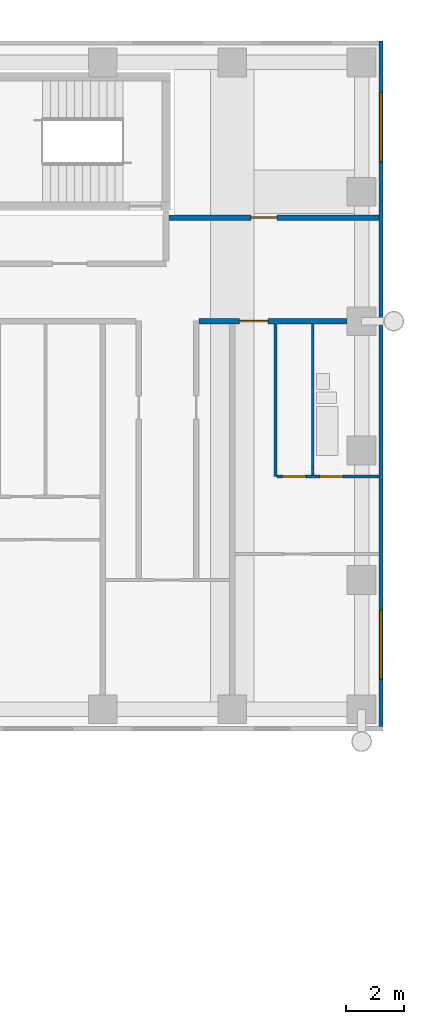
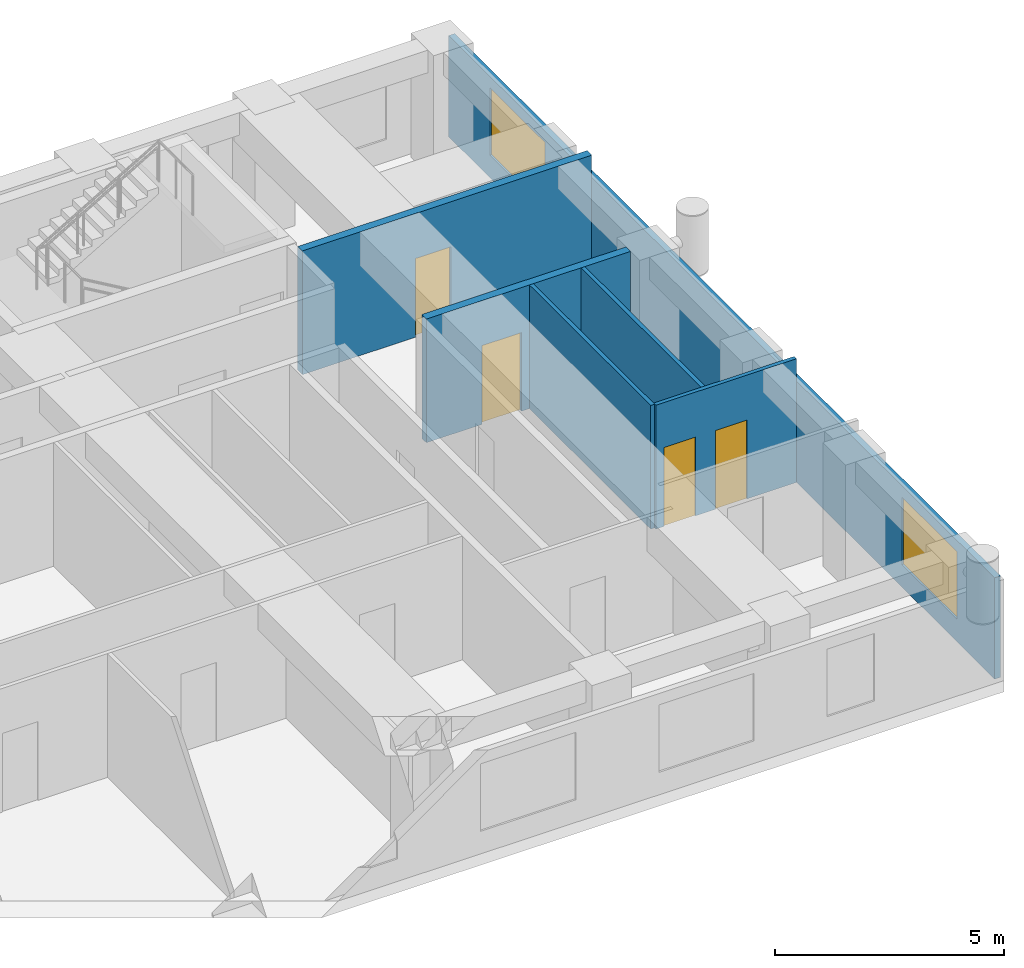
# One storey, part 11 of 14: 6 walls, 4 doors, 2 windows, 6 openings.
"""IFC4 building model written with IfcOpenShell, lengths in metres."""

from ifc_helpers import new_model, si_unit, direction, frame, frame_2d, origin, place, context, subcontext, project, spatial, rectangle, extrude, material, layer, layer_set, type_object, element, fill, save


model = new_model("IFC4")

# Units and contexts
model_context = context("Model", 3, precision=1e-05, world=origin(), true_north=direction((0.0, 1.0)))
body_context = subcontext(model_context, "Body", "Model", "MODEL_VIEW")
ifc_project = project(units=[si_unit("LENGTHUNIT", "METRE"), si_unit("AREAUNIT", "SQUARE_METRE"), si_unit("VOLUMEUNIT", "CUBIC_METRE"), si_unit("PLANEANGLEUNIT", "RADIAN"), si_unit("MASSUNIT", "GRAM", prefix="KILO")], contexts=[model_context])

# Site, building, storey
site_placement = place(None, origin())
site = spatial("IfcSite", under=ifc_project, at=site_placement, CompositionType="ELEMENT")
building_placement = place(site_placement, origin())
building = spatial("IfcBuilding", under=site, at=building_placement, Name="Firuza Court", CompositionType="ELEMENT")
storey_placement = place(building_placement, frame((0.0, 0.0, 159.199951171875)))
storey = spatial("IfcBuildingStorey", under=building, at=storey_placement, Name="L40", CompositionType="ELEMENT", Elevation=159.199951171875)

# Wall
ifc_material_1 = material(Name="Moisture-resistant gypsum board partition")
ifc_layer_1 = layer(ifc_material_1, 0.10009765625)
ifc_layer_set_1 = layer_set([ifc_layer_1], Name="Moisture-resistant gypsum board partition")
wall_type_1 = type_object("IfcWallType", Name="Bathroom partition 100", PredefinedType="PLUMBINGWALL", material=ifc_layer_set_1)
wall_1_placement = place(storey_placement, frame((65.800048828125, 44.14990234375, 0.0), z_axis=(0.0, 0.0, 1.0), x_axis=(0.0, 1.0, 0.0)))
element("IfcWall", 1, at=wall_1_placement, inside=storey, type_object=wall_type_1, Name="Bathroom partition 100 L40", PredefinedType="PLUMBINGWALL", context=body_context, shape_type="SweptSolid", body=[
    extrude(rectangle(XDim=5.25, YDim=0.10009765625, at=frame_2d((2.625, 0.0))), origin(), (0.0, 0.0, 1.0), 3.300048828125),
])

# Wall, opening, door
ifc_material_2 = material(Name="Blockwork, plastered both sides", Category="masonry")
ifc_layer_2 = layer(ifc_material_2, 0.199951171875)
ifc_layer_set_2 = layer_set([ifc_layer_2], Name="Blockwork, plastered both sides")
wall_type_2 = type_object("IfcWallType", Name="Corridor wall 200", PredefinedType="PARTITIONING", material=ifc_layer_set_2)
wall_2_placement = place(storey_placement, frame((61.85009765625, 49.5, 0.0), z_axis=(0.0, 0.0, 1.0), x_axis=(1.0, 0.0, 0.0)))
wall_2 = element("IfcWall", 2, at=wall_2_placement, inside=storey, type_object=wall_type_2, Name="Corridor wall 200 L40", PredefinedType="PARTITIONING", context=body_context, shape_type="SweptSolid", body=[
    extrude(rectangle(XDim=5.14990234375, YDim=0.199951171875, at=frame_2d((2.574951171875, 0.0))), origin(), (0.0, 0.0, 1.0), 3.300048828125),
])
opening_1_placement = place(wall_2_placement, frame((1.39990234375, 0.0, 0.0)))
opening_1 = element("IfcOpeningElement", 3, at=opening_1_placement, cuts=wall_2, Name="Opening D40069", PredefinedType="OPENING", context=body_context, shape_type="SweptSolid", body=[
    extrude(rectangle(XDim=1.0, YDim=2.10009765625, at=frame_2d((0.5, 1.050048828125))), frame((0.0, 0.11181640625, 0.0), z_axis=(0.0, -1.0, 0.0), x_axis=(1.0, 0.0, 0.0)), (0.0, 0.0, 1.0), 0.223876953125),
])
ifc_material_3 = material(Name="Timber door leaf in hardwood frame", Category="wood")
door_type_1 = type_object("IfcDoorType", Name="Flat entrance door 1000", OperationType="SINGLE_SWING_LEFT", PredefinedType="DOOR", material=ifc_material_3)
door_1_placement = place(opening_1_placement, origin())
door_1 = element("IfcDoor", 4, at=door_1_placement, inside=storey, type_object=door_type_1, Name="Flat entrance door", OperationType="SINGLE_SWING_RIGHT", OverallHeight=2.10009765625, OverallWidth=1.0, PredefinedType="DOOR", context=body_context, shape_type="SweptSolid", body=[
    extrude(rectangle(XDim=1.0, YDim=2.10009765625, at=frame_2d((0.5, 1.050048828125))), frame((0.0, 0.02490234375, 0.0), z_axis=(0.0, -1.0, 0.0), x_axis=(1.0, 0.0, 0.0)), (0.0, 0.0, 1.0), 0.050048828125),
])
fill(opening_1, door_1)

wall_3_placement = place(storey_placement, frame((60.800048828125, 53.10009765625, 0.0), z_axis=(0.0, 0.0, 1.0), x_axis=(1.0, 0.0, 0.0)))
wall_3 = element("IfcWall", 5, at=wall_3_placement, inside=storey, type_object=wall_type_2, Name="Corridor wall 200 L40", PredefinedType="PARTITIONING", context=body_context, shape_type="SweptSolid", body=[
    extrude(rectangle(XDim=7.300048828125, YDim=0.199951171875, at=frame_2d((3.64990234375, 0.0))), origin(), (0.0, 0.0, 1.0), 3.300048828125),
])
opening_2_placement = place(wall_3_placement, frame((2.85009765625, 0.0, 0.0)))
opening_2 = element("IfcOpeningElement", 6, at=opening_2_placement, cuts=wall_3, Name="Opening D40079", PredefinedType="OPENING", context=body_context, shape_type="SweptSolid", body=[
    extrude(rectangle(XDim=0.89990234375, YDim=2.10009765625, at=frame_2d((0.449951171875, 1.050048828125))), frame((0.0, 0.11181640625, 0.0), z_axis=(0.0, -1.0, 0.0), x_axis=(1.0, 0.0, 0.0)), (0.0, 0.0, 1.0), 0.223876953125),
])
ifc_material_4 = material(Name="Timber door leaf in hardwood frame", Category="wood")
door_type_2 = type_object("IfcDoorType", Name="Room door 900 EI 30", OperationType="SINGLE_SWING_LEFT", PredefinedType="DOOR", material=ifc_material_4)
door_2_placement = place(opening_2_placement, origin())
door_2 = element("IfcDoor", 7, at=door_2_placement, inside=storey, type_object=door_type_2, Name="Residents' workroom door", OperationType="SINGLE_SWING_LEFT", OverallHeight=2.10009765625, OverallWidth=0.89990234375, PredefinedType="DOOR", context=body_context, shape_type="SweptSolid", body=[
    extrude(rectangle(XDim=0.89990234375, YDim=2.10009765625, at=frame_2d((0.449951171875, 1.050048828125))), frame((0.0, 0.02490234375, 0.0), z_axis=(0.0, -1.0, 0.0), x_axis=(1.0, 0.0, 0.0)), (0.0, 0.0, 1.0), 0.050048828125),
])
fill(opening_2, door_2)

# Wall
ifc_material_5 = material(Name="Timber stud partition, plasterboard both sides", Category="wood")
ifc_layer_3 = layer(ifc_material_5, 0.10009765625)
ifc_layer_set_3 = layer_set([ifc_layer_3], Name="Timber stud partition, plasterboard both sides")
wall_type_3 = type_object("IfcWallType", Name="Partition wall 100", PredefinedType="PARTITIONING", material=ifc_layer_set_3)
wall_4_placement = place(storey_placement, frame((64.5, 44.10009765625, 0.0), z_axis=(0.0, 0.0, 1.0), x_axis=(0.0, 1.0, 0.0)))
element("IfcWall", 8, at=wall_4_placement, inside=storey, type_object=wall_type_3, Name="Partition wall 100 L40", PredefinedType="PARTITIONING", context=body_context, shape_type="SweptSolid", body=[
    extrude(rectangle(XDim=5.2998046875, YDim=0.10009765625, at=frame_2d((2.64990234375, 0.0))), origin(), (0.0, 0.0, 1.0), 3.300048828125),
])

# Wall, openings, doors
wall_5_placement = place(storey_placement, frame((64.550048828125, 44.10009765625, 0.0), z_axis=(0.0, 0.0, 1.0), x_axis=(1.0, 0.0, 0.0)))
wall_5 = element("IfcWall", 9, at=wall_5_placement, inside=storey, type_object=wall_type_3, Name="Partition wall 100 L40", PredefinedType="PARTITIONING", context=body_context, shape_type="SweptSolid", body=[
    extrude(rectangle(XDim=3.550048828125, YDim=0.10009765625, at=frame_2d((1.77490234375, 0.0))), origin(), (0.0, 0.0, 1.0), 3.300048828125),
])
opening_3_placement = place(wall_5_placement, frame((1.5, 0.0, 0.0)))
opening_3 = element("IfcOpeningElement", 10, at=opening_3_placement, cuts=wall_5, Name="Opening D40064", PredefinedType="OPENING", context=body_context, shape_type="SweptSolid", body=[
    extrude(rectangle(XDim=0.800048828125, YDim=2.10009765625, at=frame_2d((0.39990234375, 1.050048828125))), frame((0.0, 0.06201171875, 0.0), z_axis=(0.0, -1.0, 0.0), x_axis=(1.0, 0.0, 0.0)), (0.0, 0.0, 1.0), 0.1240234375),
])
opening_4_placement = place(wall_5_placement, frame((0.199951171875, 0.0, 0.0)))
opening_4 = element("IfcOpeningElement", 11, at=opening_4_placement, cuts=wall_5, Name="Opening D40065", PredefinedType="OPENING", context=body_context, shape_type="SweptSolid", body=[
    extrude(rectangle(XDim=0.800048828125, YDim=2.10009765625, at=frame_2d((0.39990234375, 1.050048828125))), frame((0.0, 0.06201171875, 0.0), z_axis=(0.0, -1.0, 0.0), x_axis=(1.0, 0.0, 0.0)), (0.0, 0.0, 1.0), 0.1240234375),
])
ifc_material_6 = material(Name="Timber door leaf in hardwood frame", Category="wood")
door_type_3 = type_object("IfcDoorType", Name="Bathroom door 800", OperationType="SINGLE_SWING_LEFT", PredefinedType="DOOR", material=ifc_material_6)
door_3_placement = place(opening_3_placement, origin())
door_3 = element("IfcDoor", 12, at=door_3_placement, inside=storey, type_object=door_type_3, Name="Bathroom door", OperationType="SINGLE_SWING_LEFT", OverallHeight=2.10009765625, OverallWidth=0.800048828125, PredefinedType="DOOR", context=body_context, shape_type="SweptSolid", body=[
    extrude(rectangle(XDim=0.800048828125, YDim=2.10009765625, at=frame_2d((0.39990234375, 1.050048828125))), frame((0.0, 0.02490234375, 0.0), z_axis=(0.0, -1.0, 0.0), x_axis=(1.0, 0.0, 0.0)), (0.0, 0.0, 1.0), 0.050048828125),
])
fill(opening_3, door_3)
ifc_material_7 = material(Name="Timber door leaf in hardwood frame", Category="wood")
door_type_4 = type_object("IfcDoorType", Name="Room door 800", OperationType="SINGLE_SWING_LEFT", PredefinedType="DOOR", material=ifc_material_7)
door_4_placement = place(opening_4_placement, origin())
door_4 = element("IfcDoor", 13, at=door_4_placement, inside=storey, type_object=door_type_4, Name="Kitchen door", OperationType="SINGLE_SWING_LEFT", OverallHeight=2.10009765625, OverallWidth=0.800048828125, PredefinedType="DOOR", context=body_context, shape_type="SweptSolid", body=[
    extrude(rectangle(XDim=0.800048828125, YDim=2.10009765625, at=frame_2d((0.39990234375, 1.050048828125))), frame((0.0, 0.02490234375, 0.0), z_axis=(0.0, -1.0, 0.0), x_axis=(1.0, 0.0, 0.0)), (0.0, 0.0, 1.0), 0.050048828125),
])
fill(opening_4, door_4)

# Wall, openings, windows
ifc_material_8 = material(Name="Ceramic tile", Category="ceramic")
ifc_layer_4 = layer(ifc_material_8, 0.02001953125)
ifc_material_9 = material(Name="Mineral wool insulation", Category="insulation")
ifc_layer_5 = layer(ifc_material_9, 0.050048828125)
ifc_material_10 = material(Name="Concrete C40/50 precast", Category="concrete")
ifc_layer_6 = layer(ifc_material_10, 0.080078125)
ifc_layer_set_4 = layer_set([ifc_layer_4, ifc_layer_5, ifc_layer_6], Name="Concrete C40/50 precast")
wall_type_4 = type_object("IfcWallType", Name="Precast cladding wall with turquoise TILE PANEL face 150", PredefinedType="STANDARD", material=ifc_layer_set_4)
wall_6_placement = place(storey_placement, frame((68.175048828125, 35.39990234375, 0.0), z_axis=(0.0, 0.0, 1.0), x_axis=(0.0, 1.0, 0.0)))
wall_6 = element("IfcWall", 14, at=wall_6_placement, inside=storey, type_object=wall_type_4, Name="Facade wall L40 E", PredefinedType="STANDARD", context=body_context, shape_type="SweptSolid", body=[
    extrude(rectangle(XDim=23.85009765625, YDim=0.14990234375, at=frame_2d((11.925048828125, 0.0))), origin(), (0.0, 0.0, 1.0), 2.699951171875),
])
opening_5_placement = place(wall_6_placement, frame((1.64990234375, 0.0, 0.60009765625)))
opening_5 = element("IfcOpeningElement", 15, at=opening_5_placement, cuts=wall_6, Name="Opening W1", PredefinedType="OPENING", context=body_context, shape_type="SweptSolid", body=[
    extrude(rectangle(XDim=2.39990234375, YDim=1.800048828125, at=frame_2d((1.199951171875, 0.89990234375))), frame((0.0, 0.0869140625, 0.0), z_axis=(0.0, -1.0, 0.0), x_axis=(1.0, 0.0, 0.0)), (0.0, 0.0, 1.0), 0.173828125),
])
opening_6_placement = place(wall_6_placement, frame((19.64990234375, 0.0, 0.60009765625)))
opening_6 = element("IfcOpeningElement", 16, at=opening_6_placement, cuts=wall_6, Name="Opening W1", PredefinedType="OPENING", context=body_context, shape_type="SweptSolid", body=[
    extrude(rectangle(XDim=2.39990234375, YDim=1.800048828125, at=frame_2d((1.199951171875, 0.89990234375))), frame((0.0, 0.0869140625, 0.0), z_axis=(0.0, -1.0, 0.0), x_axis=(1.0, 0.0, 0.0)), (0.0, 0.0, 1.0), 0.173828125),
])
ifc_material_11 = material(Name="Aluminium frame, triple clear glazing", Category="aluminium")
window_type = type_object("IfcWindowType", Name="Window W1 2400 x 1800", PartitioningType="SINGLE_PANEL", PredefinedType="WINDOW", material=ifc_material_11)
window_1_placement = place(opening_5_placement, origin())
window_1 = element("IfcWindow", 17, at=window_1_placement, inside=storey, type_object=window_type, Name="Window L40", OverallHeight=1.800048828125, OverallWidth=2.39990234375, PartitioningType="SINGLE_PANEL", PredefinedType="WINDOW", context=body_context, shape_type="SweptSolid", body=[
    extrude(rectangle(XDim=2.39990234375, YDim=1.800048828125, at=frame_2d((1.199951171875, 0.89990234375))), frame((0.0, 0.030029296875, 0.0), z_axis=(0.0, -1.0, 0.0), x_axis=(1.0, 0.0, 0.0)), (0.0, 0.0, 1.0), 0.06005859375),
])
fill(opening_5, window_1)
window_2_placement = place(opening_6_placement, origin())
window_2 = element("IfcWindow", 18, at=window_2_placement, inside=storey, type_object=window_type, Name="Window L40", OverallHeight=1.800048828125, OverallWidth=2.39990234375, PartitioningType="SINGLE_PANEL", PredefinedType="WINDOW", context=body_context, shape_type="SweptSolid", body=[
    extrude(rectangle(XDim=2.39990234375, YDim=1.800048828125, at=frame_2d((1.199951171875, 0.89990234375))), frame((0.0, 0.030029296875, 0.0), z_axis=(0.0, -1.0, 0.0), x_axis=(1.0, 0.0, 0.0)), (0.0, 0.0, 1.0), 0.06005859375),
])
fill(opening_6, window_2)

save(model, "model.ifc")
